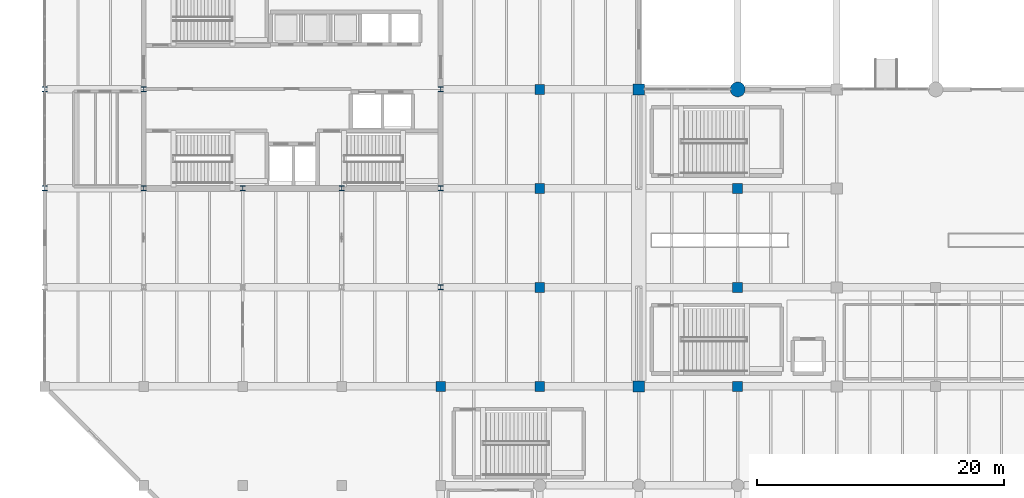
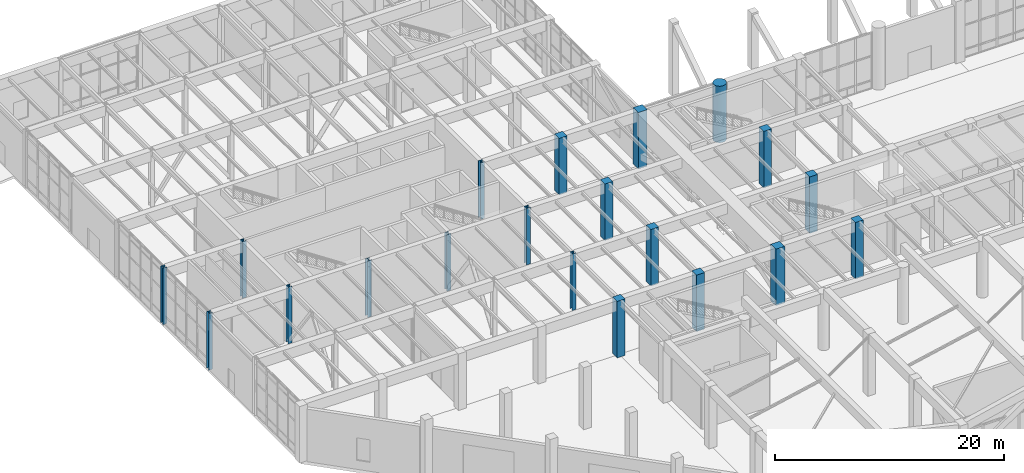
# One storey, part 2 of 51: 20 columns.
"""IFC4 building model written with IfcOpenShell, lengths in metres."""

from ifc_helpers import new_model, si_unit, direction, frame, origin, origin_2d, place, context, subcontext, project, spatial, rectangle, circle, i_section, extrude, material, material_profile, profile_set, type_object, element, save


model = new_model("IFC4")

# Units and contexts
model_context = context("Model", 3, precision=1e-05, world=origin(), true_north=direction((0.0, 1.0)))
body_context = subcontext(model_context, "Body", "Model", "MODEL_VIEW")
ifc_project = project(units=[si_unit("LENGTHUNIT", "METRE"), si_unit("AREAUNIT", "SQUARE_METRE"), si_unit("VOLUMEUNIT", "CUBIC_METRE"), si_unit("PLANEANGLEUNIT", "RADIAN"), si_unit("MASSUNIT", "GRAM", prefix="KILO")], contexts=[model_context])

# Site, building, storey
site_placement = place(None, origin())
site = spatial("IfcSite", under=ifc_project, at=site_placement, CompositionType="ELEMENT")
building_placement = place(site_placement, origin())
building = spatial("IfcBuilding", under=site, at=building_placement, Name="Varnela Railside Interchange", CompositionType="ELEMENT")
storey_placement = place(building_placement, origin())
storey = spatial("IfcBuildingStorey", under=building, at=storey_placement, Name="L00", CompositionType="ELEMENT", Elevation=0.0)

# Columns
ifc_material_1 = material(Name="Concrete C50", Category="concrete")
ifc_material_profile_1 = material_profile(ifc_material_1, circle(Radius=0.60009765625, at=origin_2d()), Name="CIRC D1200")
ifc_profile_set_1 = profile_set([ifc_material_profile_1], Name="Concrete C50")
column_type_1 = type_object("IfcColumnType", Name="Concourse Round Column C-13", PredefinedType="COLUMN", material=ifc_profile_set_1)
column_placement = place(storey_placement, frame((60.0, 62.0, 0.0), z_axis=(0.0, 0.0, 1.0), x_axis=(1.0, 0.0, 0.0)))
element("IfcColumn", 1, at=column_placement, inside=storey, type_object=column_type_1, Name="Column C-13 (L00) (CL-0559)", PredefinedType="COLUMN", context=body_context, shape_type="SweptSolid", body=[
    extrude(circle(Radius=0.60009765625, at=origin_2d()), origin(), (0.0, 0.0, 1.0), 6.02001953125),
])
ifc_material_profile_2 = material_profile(ifc_material_1, rectangle(XDim=0.89990234375, YDim=0.89990234375, at=origin_2d()), Name="RC 900x900")
ifc_profile_set_2 = profile_set([ifc_material_profile_2], Name="Concrete C50")
column_type_2 = type_object("IfcColumnType", Name="Plinth Square Column C-05", PredefinedType="COLUMN", material=ifc_profile_set_2)
for number, where, z_axis, x_axis, name in (
    (2, (52.0, 38.0, 0.0), (0.0, 0.0, 1.0), (1.0, 0.0, 0.0), "Column C-05 (L00) (CL-0548)"),
    (3, (52.0, 62.0, 0.0), (0.0, 0.0, 1.0), (1.0, 0.0, 0.0), "Column C-05 (L00) (CL-0549)"),
):
    element("IfcColumn", number, at=place(storey_placement, frame(where, z_axis=z_axis, x_axis=x_axis)), inside=storey, type_object=column_type_2, Name=name, PredefinedType="COLUMN", context=body_context, shape_type="SweptSolid", body=[
        extrude(rectangle(XDim=0.89990234375, YDim=0.89990234375, at=origin_2d()), origin(), (0.0, 0.0, 1.0), 6.02001953125),
    ])
ifc_material_profile_3 = material_profile(ifc_material_1, rectangle(XDim=0.800048828125, YDim=0.800048828125, at=origin_2d()), Name="RC 800x800")
ifc_profile_set_3 = profile_set([ifc_material_profile_3], Name="Concrete C50")
column_type_3 = type_object("IfcColumnType", Name="Podium Concourse Column C-03", PredefinedType="COLUMN", material=ifc_profile_set_3)
for number, where, z_axis, x_axis, name in (
    (4, (36.0, 38.0, 0.0), (0.0, 0.0, 1.0), (1.0, 0.0, 0.0), "Column C-03 (L00) (CL-0526)"),
    (5, (44.0, 38.0, 0.0), (0.0, 0.0, 1.0), (1.0, 0.0, 0.0), "Column C-03 (L00) (CL-0536)"),
    (6, (44.0, 46.0, 0.0), (0.0, 0.0, 1.0), (1.0, 0.0, 0.0), "Column C-03 (L00) (CL-0537)"),
    (7, (44.0, 54.0, 0.0), (0.0, 0.0, 1.0), (1.0, 0.0, 0.0), "Column C-03 (L00) (CL-0538)"),
    (8, (44.0, 62.0, 0.0), (0.0, 0.0, 1.0), (1.0, 0.0, 0.0), "Column C-03 (L00) (CL-0539)"),
    (9, (60.0, 38.0, 0.0), (0.0, 0.0, 1.0), (1.0, 0.0, 0.0), "Column C-03 (L00) (CL-0556)"),
    (10, (60.0, 46.0, 0.0), (0.0, 0.0, 1.0), (1.0, 0.0, 0.0), "Column C-03 (L00) (CL-0557)"),
    (11, (60.0, 54.0, 0.0), (0.0, 0.0, 1.0), (1.0, 0.0, 0.0), "Column C-03 (L00) (CL-0558)"),
):
    element("IfcColumn", number, at=place(storey_placement, frame(where, z_axis=z_axis, x_axis=x_axis)), inside=storey, type_object=column_type_3, Name=name, PredefinedType="COLUMN", context=body_context, shape_type="SweptSolid", body=[
        extrude(rectangle(XDim=0.800048828125, YDim=0.800048828125, at=origin_2d()), origin(), (0.0, 0.0, 1.0), 6.02001953125),
    ])
ifc_material_2 = material(Name="Steel AR 350 (350 MPa)", Category="steel")
ifc_material_profile_4 = material_profile(ifc_material_2, i_section(OverallWidth=0.406005859375, OverallDepth=0.416015625, WebThickness=0.02978515625, FlangeThickness=0.048095703125, at=origin_2d()), Name="W360x382")
ifc_profile_set_4 = profile_set([ifc_material_profile_4], Name="Steel AR 350 (350 MPa)")
column_type_4 = type_object("IfcColumnType", Name="Superstructure Steel Col C-14", PredefinedType="COLUMN", material=ifc_profile_set_4)
for number, where, z_axis, x_axis, name in (
    (12, (12.0, 54.0, 0.0), (0.0, 0.0, 1.0), (1.0, 0.0, 0.0), "Column C-14 (L00) (CL-0497)"),
    (13, (12.0, 62.0, 0.0), (0.0, 0.0, 1.0), (1.0, 0.0, 0.0), "Column C-14 (L00) (CL-0498)"),
    (14, (20.0, 54.0, 0.0), (0.0, 0.0, 1.0), (1.0, 0.0, 0.0), "Column C-14 (L00) (CL-0507)"),
    (15, (28.0, 54.0, 0.0), (0.0, 0.0, 1.0), (1.0, 0.0, 0.0), "Column C-14 (L00) (CL-0517)"),
    (16, (36.0, 54.0, 0.0), (0.0, 0.0, 1.0), (1.0, 0.0, 0.0), "Column C-14 (L00) (CL-0528)"),
    (17, (36.0, 62.0, 0.0), (0.0, 0.0, 1.0), (1.0, 0.0, 0.0), "Column C-14 (L00) (CL-0529)"),
):
    element("IfcColumn", number, at=place(storey_placement, frame(where, z_axis=z_axis, x_axis=x_axis)), inside=storey, type_object=column_type_4, Name=name, PredefinedType="COLUMN", context=body_context, shape_type="SweptSolid", body=[
        extrude(i_section(OverallWidth=0.406005859375, OverallDepth=0.416015625, WebThickness=0.02978515625, FlangeThickness=0.048095703125, at=origin_2d()), origin(), (0.0, 0.0, 1.0), 6.02001953125),
    ])
ifc_material_profile_5 = material_profile(ifc_material_2, i_section(OverallWidth=0.40087890625, OverallDepth=0.39892578125, WebThickness=0.02490234375, FlangeThickness=0.03955078125, at=origin_2d()), Name="W360x314")
ifc_profile_set_5 = profile_set([ifc_material_profile_5], Name="Steel AR 350 (350 MPa)")
column_type_5 = type_object("IfcColumnType", Name="Superstructure Steel Col C-15", PredefinedType="COLUMN", material=ifc_profile_set_5)
for number, where, z_axis, x_axis, name in (
    (18, (4.0, 54.0, 0.0), (0.0, 0.0, 1.0), (1.0, 0.0, 0.0), "Column C-15 (L00) (CL-0479)"),
    (19, (4.0, 62.0, 0.0), (0.0, 0.0, 1.0), (1.0, 0.0, 0.0), "Column C-15 (L00) (CL-0480)"),
    (20, (36.0, 46.0, 0.0), (0.0, 0.0, 1.0), (1.0, 0.0, 0.0), "Column C-15 (L00) (CL-0527)"),
):
    element("IfcColumn", number, at=place(storey_placement, frame(where, z_axis=z_axis, x_axis=x_axis)), inside=storey, type_object=column_type_5, Name=name, PredefinedType="COLUMN", context=body_context, shape_type="SweptSolid", body=[
        extrude(i_section(OverallWidth=0.40087890625, OverallDepth=0.39892578125, WebThickness=0.02490234375, FlangeThickness=0.03955078125, at=origin_2d()), origin(), (0.0, 0.0, 1.0), 6.02001953125),
    ])

save(model, "model.ifc")
